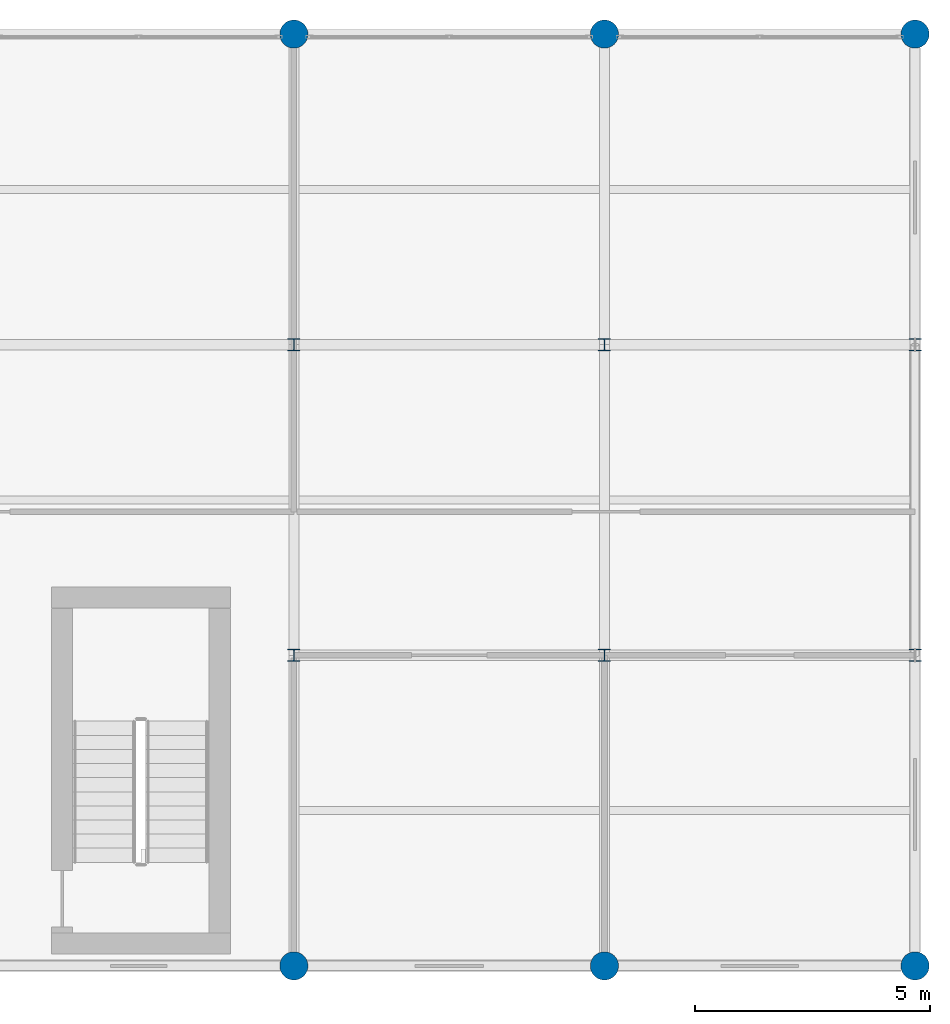
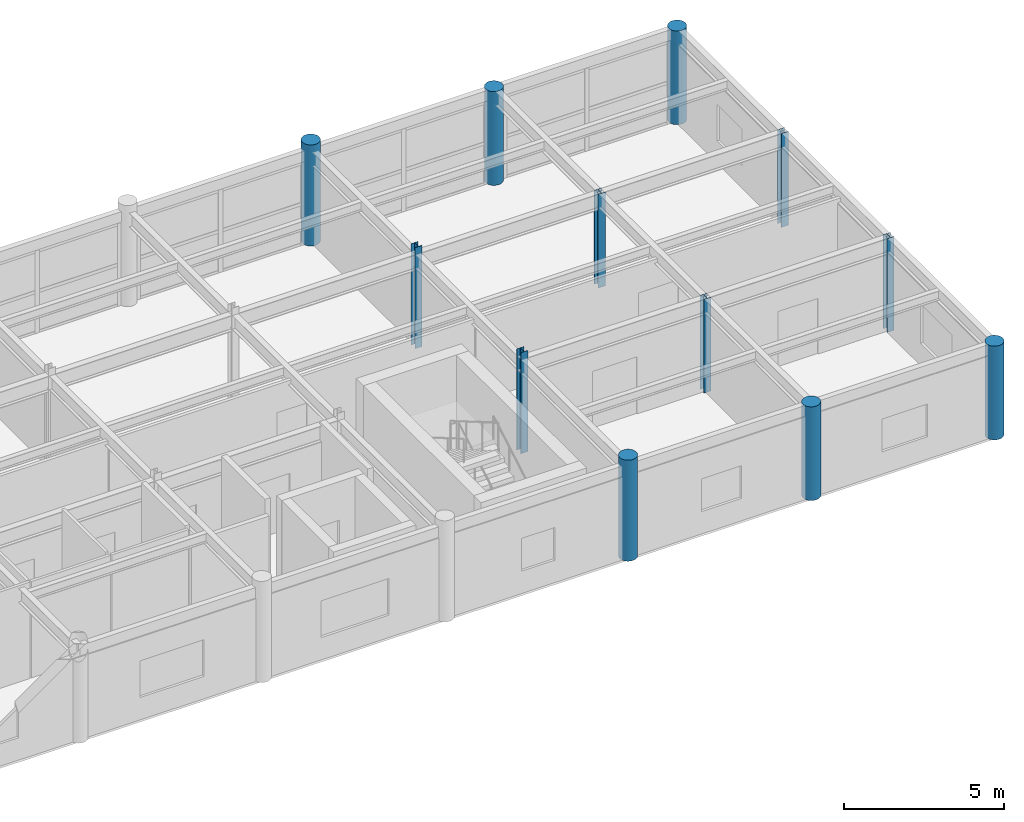
# One storey, part 2 of 17: 12 columns.
"""IFC4 building model written with IfcOpenShell, lengths in metres."""

from ifc_helpers import new_model, si_unit, direction, frame, origin, origin_2d, place, context, subcontext, project, spatial, circle, i_section, extrude, material, material_profile, profile_set, type_object, element, save


model = new_model("IFC4")

# Units and contexts
model_context = context("Model", 3, precision=1e-05, world=origin(), true_north=direction((0.0, 1.0)))
body_context = subcontext(model_context, "Body", "Model", "MODEL_VIEW")
ifc_project = project(units=[si_unit("LENGTHUNIT", "METRE"), si_unit("AREAUNIT", "SQUARE_METRE"), si_unit("VOLUMEUNIT", "CUBIC_METRE"), si_unit("PLANEANGLEUNIT", "RADIAN"), si_unit("MASSUNIT", "GRAM", prefix="KILO")], contexts=[model_context])

# Site, building, storey
site_placement = place(None, origin())
site = spatial("IfcSite", under=ifc_project, at=site_placement, CompositionType="ELEMENT")
building_placement = place(site_placement, origin())
building = spatial("IfcBuilding", under=site, at=building_placement, Name="Karori Crest Natural Sciences Institute", CompositionType="ELEMENT")
storey_placement = place(building_placement, frame((0.0, 0.0, 38.14990234375)))
storey = spatial("IfcBuildingStorey", under=building, at=storey_placement, Name="L09", CompositionType="ELEMENT", Elevation=38.14990234375)

# Columns
ifc_material_1 = material(Name="Structural steel AS/NZS 3679.1 Grade 350", Category="steel")
ifc_material_profile_1 = material_profile(ifc_material_1, i_section(OverallWidth=0.25390625, OverallDepth=0.25390625, WebThickness=0.008544921875, FlangeThickness=0.01416015625, FilletRadius=0.013916015625, at=origin_2d()), Name="250UC72.9")
ifc_profile_set_1 = profile_set([ifc_material_profile_1], Name="Structural steel AS/NZS 3679.1 Grade 350")
column_type_1 = type_object("IfcColumnType", Name="CT-07-IL", PredefinedType="COLUMN", material=ifc_profile_set_1)
for number, where, z_axis, x_axis, name in (
    (1, (136.60009765625, 7.39990234375, 0.0), (0.0, 0.0, 1.0), (1.0, 0.0, 0.0), "Column C-1279"),
    (2, (136.60009765625, 14.0, 0.0), (0.0, 0.0, 1.0), (1.0, 0.0, 0.0), "Column C-1291"),
):
    element("IfcColumn", number, at=place(storey_placement, frame(where, z_axis=z_axis, x_axis=x_axis)), inside=storey, type_object=column_type_1, Name=name, PredefinedType="COLUMN", context=body_context, shape_type="SweptSolid", body=[
        extrude(i_section(OverallWidth=0.25390625, OverallDepth=0.25390625, WebThickness=0.008544921875, FlangeThickness=0.01416015625, FilletRadius=0.013916015625, at=origin_2d()), origin(), (0.0, 0.0, 1.0), 3.85009765625),
    ])
for number, where, z_axis, x_axis, name in (
    (3, (143.199951171875, 7.39990234375, 0.0), (0.0, 0.0, 1.0), (1.0, 0.0, 0.0), "Column C-1326"),
    (4, (143.199951171875, 14.0, 0.0), (0.0, 0.0, 1.0), (1.0, 0.0, 0.0), "Column C-1337"),
    (5, (149.800048828125, 7.39990234375, 0.0), (0.0, 0.0, 1.0), (1.0, 0.0, 0.0), "Column C-1370"),
    (6, (149.800048828125, 14.0, 0.0), (0.0, 0.0, 1.0), (1.0, 0.0, 0.0), "Column C-1381"),
):
    element("IfcColumn", number, at=place(storey_placement, frame(where, z_axis=z_axis, x_axis=x_axis)), inside=storey, type_object=column_type_1, Name=name, PredefinedType="COLUMN", context=body_context, shape_type="SweptSolid", body=[
        extrude(i_section(OverallWidth=0.25390625, OverallDepth=0.25390625, WebThickness=0.008544921875, FlangeThickness=0.01416015625, FilletRadius=0.013916015625, at=origin_2d()), origin(), (0.0, 0.0, 1.0), 3.570068359375),
    ])
ifc_material_2 = material(Name="Concrete 50 MPa", Category="concrete")
ifc_material_profile_2 = material_profile(ifc_material_2, circle(Radius=0.300048828125, at=origin_2d()), Name="RCC600")
ifc_profile_set_2 = profile_set([ifc_material_profile_2], Name="Concrete 50 MPa")
column_type_2 = type_object("IfcColumnType", Name="CT-24", PredefinedType="PILASTER", material=ifc_profile_set_2)
for number, where, z_axis, x_axis, name in (
    (7, (136.60009765625, 0.800048828125, 0.0), (0.0, 0.0, 1.0), (1.0, 0.0, 0.0), "Column C-1267"),
    (8, (136.60009765625, 20.60009765625, 0.0), (0.0, 0.0, 1.0), (1.0, 0.0, 0.0), "Column C-1303"),
):
    element("IfcColumn", number, at=place(storey_placement, frame(where, z_axis=z_axis, x_axis=x_axis)), inside=storey, type_object=column_type_2, Name=name, PredefinedType="PILASTER", context=body_context, shape_type="SweptSolid", body=[
        extrude(circle(Radius=0.300048828125, at=origin_2d()), origin(), (0.0, 0.0, 1.0), 3.85009765625),
    ])
for number, where, z_axis, x_axis, name in (
    (9, (143.199951171875, 0.800048828125, 0.0), (0.0, 0.0, 1.0), (1.0, 0.0, 0.0), "Column C-1315"),
    (10, (143.199951171875, 20.60009765625, 0.0), (0.0, 0.0, 1.0), (1.0, 0.0, 0.0), "Column C-1348"),
    (11, (149.800048828125, 0.800048828125, 0.0), (0.0, 0.0, 1.0), (1.0, 0.0, 0.0), "Column C-1359"),
    (12, (149.800048828125, 20.60009765625, 0.0), (0.0, 0.0, 1.0), (1.0, 0.0, 0.0), "Column C-1392"),
):
    element("IfcColumn", number, at=place(storey_placement, frame(where, z_axis=z_axis, x_axis=x_axis)), inside=storey, type_object=column_type_2, Name=name, PredefinedType="PILASTER", context=body_context, shape_type="SweptSolid", body=[
        extrude(circle(Radius=0.300048828125, at=origin_2d()), origin(), (0.0, 0.0, 1.0), 3.570068359375),
    ])

save(model, "model.ifc")
